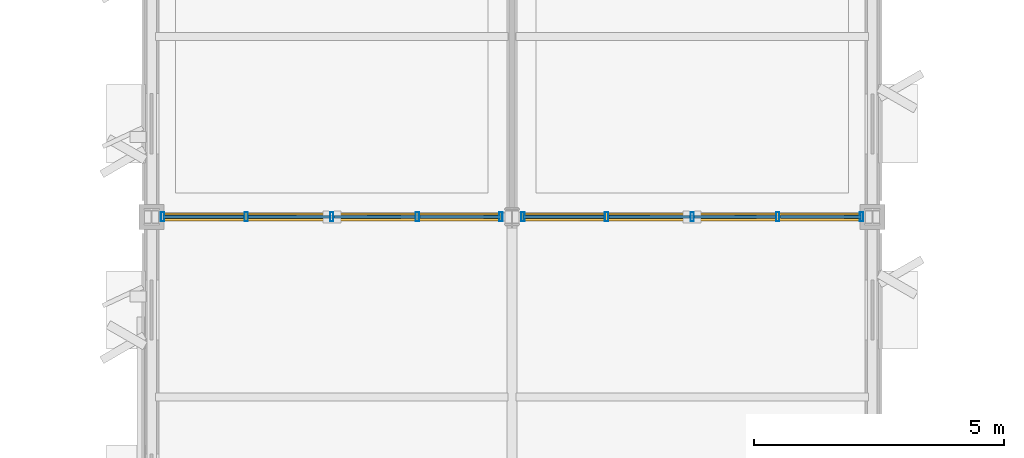
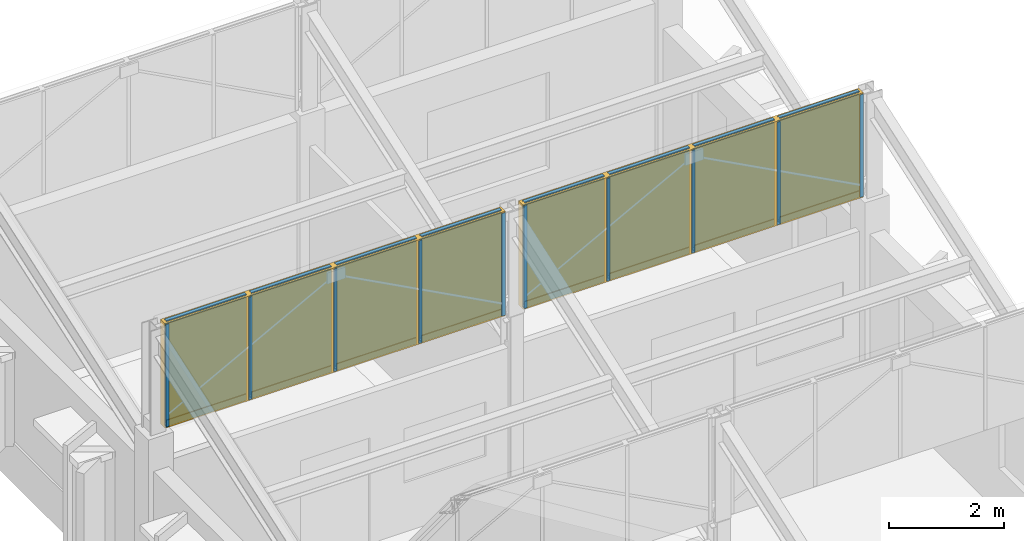
# One storey, part 64 of 82: 26 members, 8 plates, 2 curtain walls.
"""IFC4 building model written with IfcOpenShell, lengths in metres."""

from ifc_helpers import new_model, si_unit, direction, frame, origin, origin_2d, place, context, subcontext, project, spatial, rectangle, hollow_rectangle, extrude, material, layer, layer_set, material_profile, profile_set, type_object, element, aggregate, save


model = new_model("IFC4")

# Units and contexts
model_context = context("Model", 3, precision=1e-05, world=origin(), true_north=direction((0.0, 1.0)))
body_context = subcontext(model_context, "Body", "Model", "MODEL_VIEW")
ifc_project = project(units=[si_unit("LENGTHUNIT", "METRE"), si_unit("AREAUNIT", "SQUARE_METRE"), si_unit("VOLUMEUNIT", "CUBIC_METRE"), si_unit("PLANEANGLEUNIT", "RADIAN"), si_unit("MASSUNIT", "GRAM", prefix="KILO")], contexts=[model_context])

# Member
ifc_material_1 = material(Name="Anodized Aluminium 6063-T6", Category="aluminium")
ifc_material_profile_1 = material_profile(ifc_material_1, hollow_rectangle(XDim=0.06494140625, YDim=0.179931640625, WallThickness=0.00390625, at=origin_2d()), Name="ALU 65x180x4")
ifc_profile_set_1 = profile_set([ifc_material_profile_1], Name="Anodized Aluminium 6063-T6")
member_type_1 = type_object("IfcMemberType", Name="CWM-65X150", PredefinedType="MULLION", material=ifc_profile_set_1)
site_placement = place(None, origin())
building_placement = place(site_placement, origin())
storey_placement = place(building_placement, frame((0.0, 0.0, 14.10009765625)))
member_1_placement = place(storey_placement, frame((122.6201171875, 72.0, 3.919921875), z_axis=(0.0, 0.0, 1.0), x_axis=(1.0, 0.0, 0.0)))
member_1 = element("IfcMember", 1, at=member_1_placement, type_object=member_type_1, Name="Curtain wall mullion CW-CLER-17-09-00", PredefinedType="MULLION", context=body_context, shape_type="SweptSolid", body=[
    extrude(hollow_rectangle(XDim=0.06494140625, YDim=0.179931640625, WallThickness=0.00390625, at=origin_2d()), origin(), (0.0, 0.0, 1.0), 2.179931640625),
])

member_2_placement = place(storey_placement, frame((124.2900390625, 72.0, 3.919921875), z_axis=(0.0, 0.0, 1.0), x_axis=(1.0, 0.0, 0.0)))
member_2 = element("IfcMember", 2, at=member_2_placement, type_object=member_type_1, Name="Curtain wall mullion CW-CLER-17-09-01", PredefinedType="MULLION", context=body_context, shape_type="SweptSolid", body=[
    extrude(hollow_rectangle(XDim=0.06494140625, YDim=0.179931640625, WallThickness=0.00390625, at=origin_2d()), origin(), (0.0, 0.0, 1.0), 2.179931640625),
])

member_3_placement = place(storey_placement, frame((126.0, 72.0, 3.919921875), z_axis=(0.0, 0.0, 1.0), x_axis=(1.0, 0.0, 0.0)))
member_3 = element("IfcMember", 3, at=member_3_placement, type_object=member_type_1, Name="Curtain wall mullion CW-CLER-17-09-02", PredefinedType="MULLION", context=body_context, shape_type="SweptSolid", body=[
    extrude(hollow_rectangle(XDim=0.06494140625, YDim=0.179931640625, WallThickness=0.00390625, at=origin_2d()), origin(), (0.0, 0.0, 1.0), 2.179931640625),
])

member_4_placement = place(storey_placement, frame((127.7099609375, 72.0, 3.919921875), z_axis=(0.0, 0.0, 1.0), x_axis=(1.0, 0.0, 0.0)))
member_4 = element("IfcMember", 4, at=member_4_placement, type_object=member_type_1, Name="Curtain wall mullion CW-CLER-17-09-03", PredefinedType="MULLION", context=body_context, shape_type="SweptSolid", body=[
    extrude(hollow_rectangle(XDim=0.06494140625, YDim=0.179931640625, WallThickness=0.00390625, at=origin_2d()), origin(), (0.0, 0.0, 1.0), 2.179931640625),
])

member_5_placement = place(storey_placement, frame((129.3798828125, 72.0, 3.919921875), z_axis=(0.0, 0.0, 1.0), x_axis=(1.0, 0.0, 0.0)))
member_5 = element("IfcMember", 5, at=member_5_placement, type_object=member_type_1, Name="Curtain wall mullion CW-CLER-17-09-04", PredefinedType="MULLION", context=body_context, shape_type="SweptSolid", body=[
    extrude(hollow_rectangle(XDim=0.06494140625, YDim=0.179931640625, WallThickness=0.00390625, at=origin_2d()), origin(), (0.0, 0.0, 1.0), 2.179931640625),
])

member_6_placement = place(storey_placement, frame((129.820068359375, 72.0, 3.919921875), z_axis=(0.0, 0.0, 1.0), x_axis=(1.0, 0.0, 0.0)))
member_6 = element("IfcMember", 6, at=member_6_placement, type_object=member_type_1, Name="Curtain wall mullion CW-CLER-18-09-00", PredefinedType="MULLION", context=body_context, shape_type="SweptSolid", body=[
    extrude(hollow_rectangle(XDim=0.06494140625, YDim=0.179931640625, WallThickness=0.00390625, at=origin_2d()), origin(), (0.0, 0.0, 1.0), 2.179931640625),
])

member_7_placement = place(storey_placement, frame((131.489990234375, 72.0, 3.919921875), z_axis=(0.0, 0.0, 1.0), x_axis=(1.0, 0.0, 0.0)))
member_7 = element("IfcMember", 7, at=member_7_placement, type_object=member_type_1, Name="Curtain wall mullion CW-CLER-18-09-01", PredefinedType="MULLION", context=body_context, shape_type="SweptSolid", body=[
    extrude(hollow_rectangle(XDim=0.06494140625, YDim=0.179931640625, WallThickness=0.00390625, at=origin_2d()), origin(), (0.0, 0.0, 1.0), 2.179931640625),
])

member_8_placement = place(storey_placement, frame((133.199951171875, 72.0, 3.919921875), z_axis=(0.0, 0.0, 1.0), x_axis=(1.0, 0.0, 0.0)))
member_8 = element("IfcMember", 8, at=member_8_placement, type_object=member_type_1, Name="Curtain wall mullion CW-CLER-18-09-02", PredefinedType="MULLION", context=body_context, shape_type="SweptSolid", body=[
    extrude(hollow_rectangle(XDim=0.06494140625, YDim=0.179931640625, WallThickness=0.00390625, at=origin_2d()), origin(), (0.0, 0.0, 1.0), 2.179931640625),
])

member_9_placement = place(storey_placement, frame((134.909912109375, 72.0, 3.919921875), z_axis=(0.0, 0.0, 1.0), x_axis=(1.0, 0.0, 0.0)))
member_9 = element("IfcMember", 9, at=member_9_placement, type_object=member_type_1, Name="Curtain wall mullion CW-CLER-18-09-03", PredefinedType="MULLION", context=body_context, shape_type="SweptSolid", body=[
    extrude(hollow_rectangle(XDim=0.06494140625, YDim=0.179931640625, WallThickness=0.00390625, at=origin_2d()), origin(), (0.0, 0.0, 1.0), 2.179931640625),
])

member_10_placement = place(storey_placement, frame((136.580078125, 72.0, 3.919921875), z_axis=(0.0, 0.0, 1.0), x_axis=(1.0, 0.0, 0.0)))
member_10 = element("IfcMember", 10, at=member_10_placement, type_object=member_type_1, Name="Curtain wall mullion CW-CLER-18-09-04", PredefinedType="MULLION", context=body_context, shape_type="SweptSolid", body=[
    extrude(hollow_rectangle(XDim=0.06494140625, YDim=0.179931640625, WallThickness=0.00390625, at=origin_2d()), origin(), (0.0, 0.0, 1.0), 2.179931640625),
])

ifc_material_profile_2 = material_profile(ifc_material_1, hollow_rectangle(XDim=0.06494140625, YDim=0.139892578125, WallThickness=0.00390625, at=origin_2d()), Name="ALU 65x140x4")
ifc_profile_set_2 = profile_set([ifc_material_profile_2], Name="Anodized Aluminium 6063-T6")
member_type_2 = type_object("IfcMemberType", Name="CWT-65X120", PredefinedType="USERDEFINED", material=ifc_profile_set_2)
member_11_placement = place(storey_placement, frame((122.6298828125, 72.0, 3.949951171875), z_axis=(1.0, 0.0, 0.0), x_axis=(0.0, 1.0, 0.0)))
member_11 = element("IfcMember", 11, at=member_11_placement, type_object=member_type_2, Name="Curtain wall transom CW-CLER-17-09-1.01", ObjectType="TRANSOM", PredefinedType="USERDEFINED", context=body_context, shape_type="SweptSolid", body=[
    extrude(hollow_rectangle(XDim=0.06494140625, YDim=0.139892578125, WallThickness=0.00390625, at=origin_2d()), origin(), (0.0, 0.0, 1.0), 1.610107421875),
])

member_12_placement = place(storey_placement, frame((124.340087890625, 72.0, 3.949951171875), z_axis=(1.0, 0.0, 0.0), x_axis=(0.0, 1.0, 0.0)))
member_12 = element("IfcMember", 12, at=member_12_placement, type_object=member_type_2, Name="Curtain wall transom CW-CLER-17-09-1.02", ObjectType="TRANSOM", PredefinedType="USERDEFINED", context=body_context, shape_type="SweptSolid", body=[
    extrude(hollow_rectangle(XDim=0.06494140625, YDim=0.139892578125, WallThickness=0.00390625, at=origin_2d()), origin(), (0.0, 0.0, 1.0), 1.60986328125),
])

member_13_placement = place(storey_placement, frame((126.050048828125, 72.0, 3.949951171875), z_axis=(1.0, 0.0, 0.0), x_axis=(0.0, 1.0, 0.0)))
member_13 = element("IfcMember", 13, at=member_13_placement, type_object=member_type_2, Name="Curtain wall transom CW-CLER-17-09-1.03", ObjectType="TRANSOM", PredefinedType="USERDEFINED", context=body_context, shape_type="SweptSolid", body=[
    extrude(hollow_rectangle(XDim=0.06494140625, YDim=0.139892578125, WallThickness=0.00390625, at=origin_2d()), origin(), (0.0, 0.0, 1.0), 1.60986328125),
])

member_14_placement = place(storey_placement, frame((127.760009765625, 72.0, 3.949951171875), z_axis=(1.0, 0.0, 0.0), x_axis=(0.0, 1.0, 0.0)))
member_14 = element("IfcMember", 14, at=member_14_placement, type_object=member_type_2, Name="Curtain wall transom CW-CLER-17-09-1.04", ObjectType="TRANSOM", PredefinedType="USERDEFINED", context=body_context, shape_type="SweptSolid", body=[
    extrude(hollow_rectangle(XDim=0.06494140625, YDim=0.139892578125, WallThickness=0.00390625, at=origin_2d()), origin(), (0.0, 0.0, 1.0), 1.610107421875),
])

member_15_placement = place(storey_placement, frame((122.6298828125, 72.0, 6.06982421875), z_axis=(1.0, 0.0, 0.0), x_axis=(0.0, 1.0, 0.0)))
member_15 = element("IfcMember", 15, at=member_15_placement, type_object=member_type_2, Name="Curtain wall transom CW-CLER-17-09-2.01", ObjectType="TRANSOM", PredefinedType="USERDEFINED", context=body_context, shape_type="SweptSolid", body=[
    extrude(hollow_rectangle(XDim=0.06494140625, YDim=0.139892578125, WallThickness=0.00390625, at=origin_2d()), origin(), (0.0, 0.0, 1.0), 1.610107421875),
])

member_16_placement = place(storey_placement, frame((124.340087890625, 72.0, 6.06982421875), z_axis=(1.0, 0.0, 0.0), x_axis=(0.0, 1.0, 0.0)))
member_16 = element("IfcMember", 16, at=member_16_placement, type_object=member_type_2, Name="Curtain wall transom CW-CLER-17-09-2.02", ObjectType="TRANSOM", PredefinedType="USERDEFINED", context=body_context, shape_type="SweptSolid", body=[
    extrude(hollow_rectangle(XDim=0.06494140625, YDim=0.139892578125, WallThickness=0.00390625, at=origin_2d()), origin(), (0.0, 0.0, 1.0), 1.60986328125),
])

member_17_placement = place(storey_placement, frame((126.050048828125, 72.0, 6.06982421875), z_axis=(1.0, 0.0, 0.0), x_axis=(0.0, 1.0, 0.0)))
member_17 = element("IfcMember", 17, at=member_17_placement, type_object=member_type_2, Name="Curtain wall transom CW-CLER-17-09-2.03", ObjectType="TRANSOM", PredefinedType="USERDEFINED", context=body_context, shape_type="SweptSolid", body=[
    extrude(hollow_rectangle(XDim=0.06494140625, YDim=0.139892578125, WallThickness=0.00390625, at=origin_2d()), origin(), (0.0, 0.0, 1.0), 1.60986328125),
])

member_18_placement = place(storey_placement, frame((127.760009765625, 72.0, 6.06982421875), z_axis=(1.0, 0.0, 0.0), x_axis=(0.0, 1.0, 0.0)))
member_18 = element("IfcMember", 18, at=member_18_placement, type_object=member_type_2, Name="Curtain wall transom CW-CLER-17-09-2.04", ObjectType="TRANSOM", PredefinedType="USERDEFINED", context=body_context, shape_type="SweptSolid", body=[
    extrude(hollow_rectangle(XDim=0.06494140625, YDim=0.139892578125, WallThickness=0.00390625, at=origin_2d()), origin(), (0.0, 0.0, 1.0), 1.610107421875),
])

member_19_placement = place(storey_placement, frame((129.830078125, 72.0, 3.949951171875), z_axis=(1.0, 0.0, 0.0), x_axis=(0.0, 1.0, 0.0)))
member_19 = element("IfcMember", 19, at=member_19_placement, type_object=member_type_2, Name="Curtain wall transom CW-CLER-18-09-1.01", ObjectType="TRANSOM", PredefinedType="USERDEFINED", context=body_context, shape_type="SweptSolid", body=[
    extrude(hollow_rectangle(XDim=0.06494140625, YDim=0.139892578125, WallThickness=0.00390625, at=origin_2d()), origin(), (0.0, 0.0, 1.0), 1.60986328125),
])

member_20_placement = place(storey_placement, frame((131.5400390625, 72.0, 3.949951171875), z_axis=(1.0, 0.0, 0.0), x_axis=(0.0, 1.0, 0.0)))
member_20 = element("IfcMember", 20, at=member_20_placement, type_object=member_type_2, Name="Curtain wall transom CW-CLER-18-09-1.02", ObjectType="TRANSOM", PredefinedType="USERDEFINED", context=body_context, shape_type="SweptSolid", body=[
    extrude(hollow_rectangle(XDim=0.06494140625, YDim=0.139892578125, WallThickness=0.00390625, at=origin_2d()), origin(), (0.0, 0.0, 1.0), 1.60986328125),
])

member_21_placement = place(storey_placement, frame((133.25, 72.0, 3.949951171875), z_axis=(1.0, 0.0, 0.0), x_axis=(0.0, 1.0, 0.0)))
member_21 = element("IfcMember", 21, at=member_21_placement, type_object=member_type_2, Name="Curtain wall transom CW-CLER-18-09-1.03", ObjectType="TRANSOM", PredefinedType="USERDEFINED", context=body_context, shape_type="SweptSolid", body=[
    extrude(hollow_rectangle(XDim=0.06494140625, YDim=0.139892578125, WallThickness=0.00390625, at=origin_2d()), origin(), (0.0, 0.0, 1.0), 1.610107421875),
])

member_22_placement = place(storey_placement, frame((134.9599609375, 72.0, 3.949951171875), z_axis=(1.0, 0.0, 0.0), x_axis=(0.0, 1.0, 0.0)))
member_22 = element("IfcMember", 22, at=member_22_placement, type_object=member_type_2, Name="Curtain wall transom CW-CLER-18-09-1.04", ObjectType="TRANSOM", PredefinedType="USERDEFINED", context=body_context, shape_type="SweptSolid", body=[
    extrude(hollow_rectangle(XDim=0.06494140625, YDim=0.139892578125, WallThickness=0.00390625, at=origin_2d()), origin(), (0.0, 0.0, 1.0), 1.610107421875),
])

member_23_placement = place(storey_placement, frame((129.830078125, 72.0, 6.06982421875), z_axis=(1.0, 0.0, 0.0), x_axis=(0.0, 1.0, 0.0)))
member_23 = element("IfcMember", 23, at=member_23_placement, type_object=member_type_2, Name="Curtain wall transom CW-CLER-18-09-2.01", ObjectType="TRANSOM", PredefinedType="USERDEFINED", context=body_context, shape_type="SweptSolid", body=[
    extrude(hollow_rectangle(XDim=0.06494140625, YDim=0.139892578125, WallThickness=0.00390625, at=origin_2d()), origin(), (0.0, 0.0, 1.0), 1.60986328125),
])

member_24_placement = place(storey_placement, frame((131.5400390625, 72.0, 6.06982421875), z_axis=(1.0, 0.0, 0.0), x_axis=(0.0, 1.0, 0.0)))
member_24 = element("IfcMember", 24, at=member_24_placement, type_object=member_type_2, Name="Curtain wall transom CW-CLER-18-09-2.02", ObjectType="TRANSOM", PredefinedType="USERDEFINED", context=body_context, shape_type="SweptSolid", body=[
    extrude(hollow_rectangle(XDim=0.06494140625, YDim=0.139892578125, WallThickness=0.00390625, at=origin_2d()), origin(), (0.0, 0.0, 1.0), 1.60986328125),
])

member_25_placement = place(storey_placement, frame((133.25, 72.0, 6.06982421875), z_axis=(1.0, 0.0, 0.0), x_axis=(0.0, 1.0, 0.0)))
member_25 = element("IfcMember", 25, at=member_25_placement, type_object=member_type_2, Name="Curtain wall transom CW-CLER-18-09-2.03", ObjectType="TRANSOM", PredefinedType="USERDEFINED", context=body_context, shape_type="SweptSolid", body=[
    extrude(hollow_rectangle(XDim=0.06494140625, YDim=0.139892578125, WallThickness=0.00390625, at=origin_2d()), origin(), (0.0, 0.0, 1.0), 1.610107421875),
])

member_26_placement = place(storey_placement, frame((134.9599609375, 72.0, 6.06982421875), z_axis=(1.0, 0.0, 0.0), x_axis=(0.0, 1.0, 0.0)))
member_26 = element("IfcMember", 26, at=member_26_placement, type_object=member_type_2, Name="Curtain wall transom CW-CLER-18-09-2.04", ObjectType="TRANSOM", PredefinedType="USERDEFINED", context=body_context, shape_type="SweptSolid", body=[
    extrude(hollow_rectangle(XDim=0.06494140625, YDim=0.139892578125, WallThickness=0.00390625, at=origin_2d()), origin(), (0.0, 0.0, 1.0), 1.610107421875),
])

# Plate
ifc_material_2 = material(Name="North-Light Clear Diffusing Glazing", Category="glass")
ifc_layer = layer(ifc_material_2, 0.035888671875)
ifc_layer_set = layer_set([ifc_layer], Name="North-Light Clear Diffusing Glazing")
plate_type = type_object("IfcPlateType", Name="CWP-IGU-CL", PredefinedType="CURTAIN_PANEL", material=ifc_layer_set)
plate_1_placement = place(storey_placement, frame((123.43505859375, 72.0, 3.9599609375), z_axis=(0.0, 0.0, 1.0), x_axis=(1.0, 0.0, 0.0)))
plate_1 = element("IfcPlate", 27, at=plate_1_placement, type_object=plate_type, Name="Curtain wall vision glazing CW-CLER-17-09-01", PredefinedType="CURTAIN_PANEL", context=body_context, shape_type="SweptSolid", body=[
    extrude(rectangle(XDim=1.6201171875, YDim=0.0400390625, at=origin_2d()), origin(), (0.0, 0.0, 1.0), 2.10009765625),
])

plate_2_placement = place(storey_placement, frame((125.14501953125, 72.0, 3.9599609375), z_axis=(0.0, 0.0, 1.0), x_axis=(1.0, 0.0, 0.0)))
plate_2 = element("IfcPlate", 28, at=plate_2_placement, type_object=plate_type, Name="Curtain wall vision glazing CW-CLER-17-09-02", PredefinedType="CURTAIN_PANEL", context=body_context, shape_type="SweptSolid", body=[
    extrude(rectangle(XDim=1.6201171875, YDim=0.0400390625, at=origin_2d()), origin(), (0.0, 0.0, 1.0), 2.10009765625),
])

plate_3_placement = place(storey_placement, frame((126.85498046875, 72.0, 3.9599609375), z_axis=(0.0, 0.0, 1.0), x_axis=(1.0, 0.0, 0.0)))
plate_3 = element("IfcPlate", 29, at=plate_3_placement, type_object=plate_type, Name="Curtain wall vision glazing CW-CLER-17-09-03", PredefinedType="CURTAIN_PANEL", context=body_context, shape_type="SweptSolid", body=[
    extrude(rectangle(XDim=1.6201171875, YDim=0.0400390625, at=origin_2d()), origin(), (0.0, 0.0, 1.0), 2.10009765625),
])

plate_4_placement = place(storey_placement, frame((128.56494140625, 72.0, 3.9599609375), z_axis=(0.0, 0.0, 1.0), x_axis=(1.0, 0.0, 0.0)))
plate_4 = element("IfcPlate", 30, at=plate_4_placement, type_object=plate_type, Name="Curtain wall vision glazing CW-CLER-17-09-04", PredefinedType="CURTAIN_PANEL", context=body_context, shape_type="SweptSolid", body=[
    extrude(rectangle(XDim=1.6201171875, YDim=0.0400390625, at=origin_2d()), origin(), (0.0, 0.0, 1.0), 2.10009765625),
])

plate_5_placement = place(storey_placement, frame((130.635009765625, 72.0, 3.9599609375), z_axis=(0.0, 0.0, 1.0), x_axis=(1.0, 0.0, 0.0)))
plate_5 = element("IfcPlate", 31, at=plate_5_placement, type_object=plate_type, Name="Curtain wall vision glazing CW-CLER-18-09-01", PredefinedType="CURTAIN_PANEL", context=body_context, shape_type="SweptSolid", body=[
    extrude(rectangle(XDim=1.6201171875, YDim=0.0400390625, at=origin_2d()), origin(), (0.0, 0.0, 1.0), 2.10009765625),
])

plate_6_placement = place(storey_placement, frame((132.344970703125, 72.0, 3.9599609375), z_axis=(0.0, 0.0, 1.0), x_axis=(1.0, 0.0, 0.0)))
plate_6 = element("IfcPlate", 32, at=plate_6_placement, type_object=plate_type, Name="Curtain wall vision glazing CW-CLER-18-09-02", PredefinedType="CURTAIN_PANEL", context=body_context, shape_type="SweptSolid", body=[
    extrude(rectangle(XDim=1.6201171875, YDim=0.0400390625, at=origin_2d()), origin(), (0.0, 0.0, 1.0), 2.10009765625),
])

plate_7_placement = place(storey_placement, frame((134.054931640625, 72.0, 3.9599609375), z_axis=(0.0, 0.0, 1.0), x_axis=(1.0, 0.0, 0.0)))
plate_7 = element("IfcPlate", 33, at=plate_7_placement, type_object=plate_type, Name="Curtain wall vision glazing CW-CLER-18-09-03", PredefinedType="CURTAIN_PANEL", context=body_context, shape_type="SweptSolid", body=[
    extrude(rectangle(XDim=1.6201171875, YDim=0.0400390625, at=origin_2d()), origin(), (0.0, 0.0, 1.0), 2.10009765625),
])

plate_8_placement = place(storey_placement, frame((135.764892578125, 72.0, 3.9599609375), z_axis=(0.0, 0.0, 1.0), x_axis=(1.0, 0.0, 0.0)))
plate_8 = element("IfcPlate", 34, at=plate_8_placement, type_object=plate_type, Name="Curtain wall vision glazing CW-CLER-18-09-04", PredefinedType="CURTAIN_PANEL", context=body_context, shape_type="SweptSolid", body=[
    extrude(rectangle(XDim=1.6201171875, YDim=0.0400390625, at=origin_2d()), origin(), (0.0, 0.0, 1.0), 2.10009765625),
])

# Site, building, storey
site = spatial("IfcSite", under=ifc_project, at=site_placement, CompositionType="ELEMENT")
building = spatial("IfcBuilding", under=site, at=building_placement, Name="Sillqori Civic Hall", CompositionType="ELEMENT")
storey = spatial("IfcBuildingStorey", under=building, at=storey_placement, Name="L04", CompositionType="ELEMENT", Elevation=14.10009765625)

# Curtain wall
ifc_material_3 = material(Name="Anodized Aluminium Curtain Wall System", Category="aluminium")
curtain_wall_type = type_object("IfcCurtainWallType", Name="CW-CL-205", PredefinedType="NOTDEFINED", material=ifc_material_3)
curtain_wall_1_placement = place(storey_placement, frame((126.0, 72.0, 3.89990234375), z_axis=(0.0, 0.0, 1.0), x_axis=(1.0, 0.0, 0.0)))
curtain_wall_1 = element("IfcCurtainWall", 35, at=curtain_wall_1_placement, inside=storey, type_object=curtain_wall_type, Name="L04 unitised curtain wall CW-CLER-17-09", PredefinedType="NOTDEFINED", context=body_context, shape_type="SweptSolid", body=[
    extrude(rectangle(XDim=6.840087890625, YDim=0.159912109375, at=origin_2d()), origin(), (0.0, 0.0, 1.0), 2.219970703125),
])

aggregate(curtain_wall_1, [member_1, member_2, member_3, member_4, member_5, member_11, member_12, member_13, member_14, member_15, member_16, member_17, member_18, plate_1, plate_2, plate_3, plate_4])

curtain_wall_2_placement = place(storey_placement, frame((133.199951171875, 72.0, 3.89990234375), z_axis=(0.0, 0.0, 1.0), x_axis=(1.0, 0.0, 0.0)))
curtain_wall_2 = element("IfcCurtainWall", 36, at=curtain_wall_2_placement, inside=storey, type_object=curtain_wall_type, Name="L04 unitised curtain wall CW-CLER-18-09", PredefinedType="NOTDEFINED", context=body_context, shape_type="SweptSolid", body=[
    extrude(rectangle(XDim=6.840087890625, YDim=0.159912109375, at=origin_2d()), origin(), (0.0, 0.0, 1.0), 2.219970703125),
])

aggregate(curtain_wall_2, [member_6, member_7, member_8, member_9, member_10, member_19, member_20, member_21, member_22, member_23, member_24, member_25, member_26, plate_5, plate_6, plate_7, plate_8])

save(model, "model.ifc")
